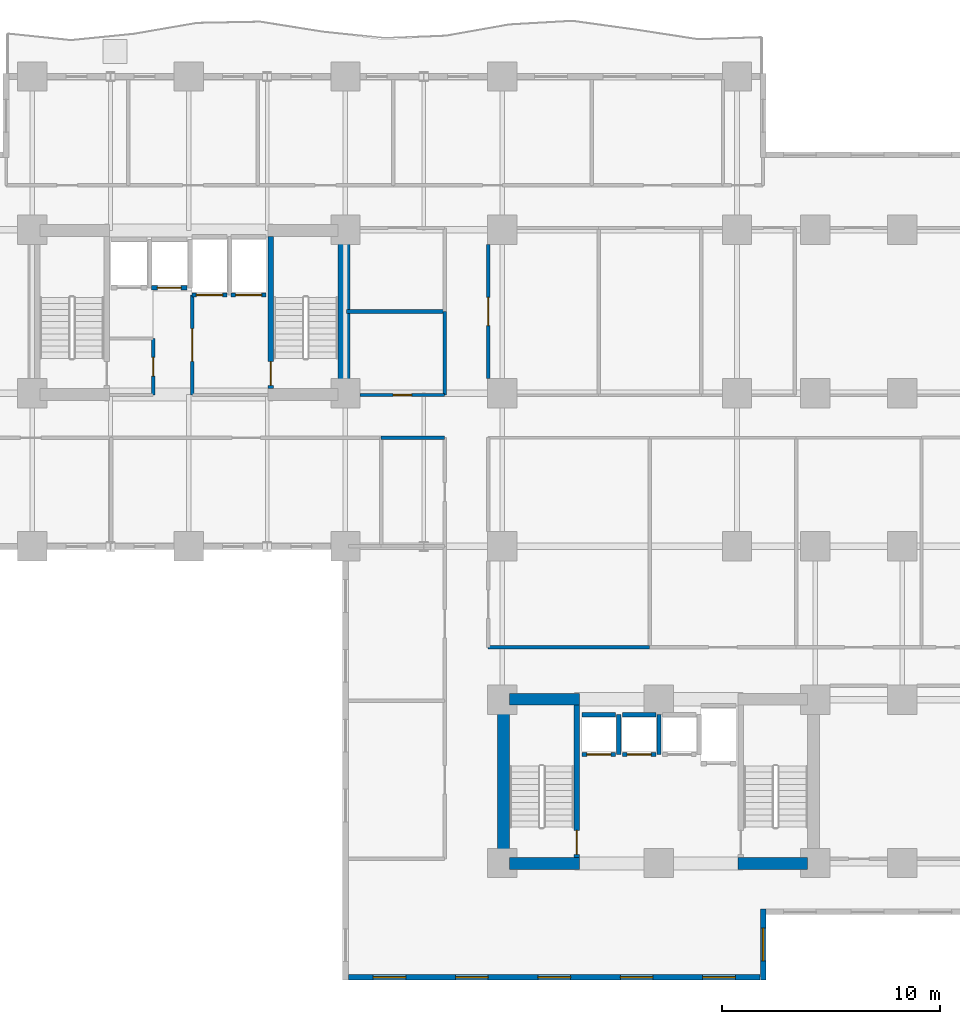
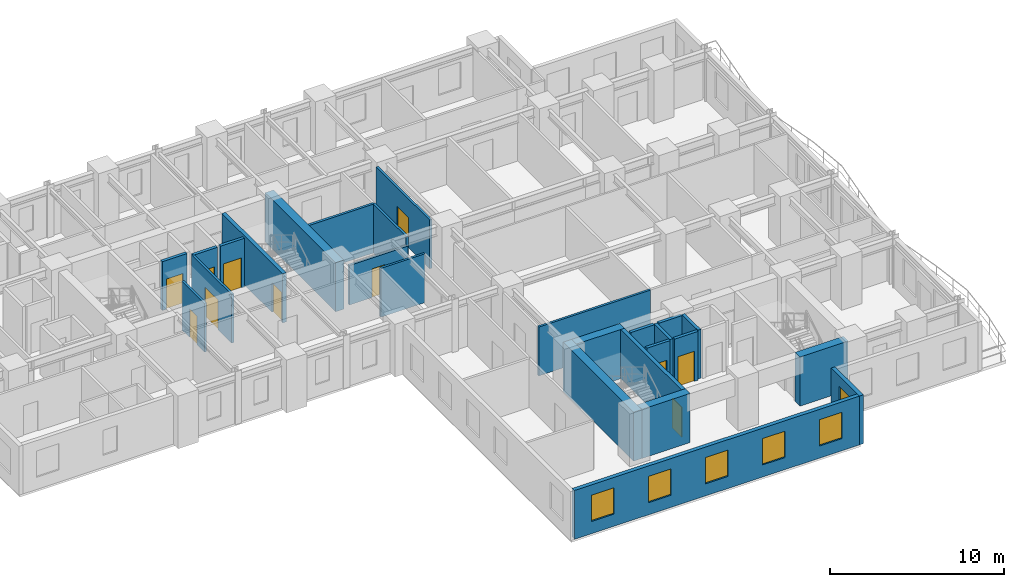
# One storey, part 4 of 11: 26 walls, 11 doors, 6 windows, 17 openings.
"""IFC4 building model written with IfcOpenShell, lengths in metres."""

import ifcopenshell
import ifcopenshell.guid

model = None  # the IFC model being written
_history = None  # IfcOwnerHistory: only IFC2X3 demands one
_inside = {}  # id of a spatial element -> (the spatial element, [elements in it])
_under = {}  # id of a project, library or spatial element -> (it, [spatial elements below it])
_declared = {}  # id of a project -> (the project, [libraries it declares])
_typed = {}  # id of a type object -> (the type object, [elements of that type])
_made_of = {}  # id of a material, layer set ... -> (it, [elements and type objects made of it])


def new_model(schema):
    """Start an empty IFC model of exactly this schema.

    Asked for "IFC4X3", IfcOpenShell would pick the latest addendum, in which some entities
    have other attributes; the version numbers below select the first issue.
    IFC2X3 requires an IfcOwnerHistory on every rooted entity: one is made here for all.
    """
    global model, _history
    if schema == "IFC4X3":
        model = ifcopenshell.file(schema_version=(4, 3, 0, 0))
    else:
        model = ifcopenshell.file(schema=schema)
    _inside.clear()
    _under.clear()
    _declared.clear()
    _typed.clear()
    _made_of.clear()
    _history = None
    if model.schema == "IFC2X3":
        org = make("IfcOrganization", Name="unknown")
        user = make(
            "IfcPersonAndOrganization",
            ThePerson=make("IfcPerson", FamilyName="unknown"),
            TheOrganization=org,
        )
        app = make(
            "IfcApplication",
            ApplicationDeveloper=org,
            Version="unknown",
            ApplicationFullName="unknown",
            ApplicationIdentifier="unknown",
        )
        _history = make(
            "IfcOwnerHistory",
            OwningUser=user,
            OwningApplication=app,
            ChangeAction="ADDED",
            CreationDate=0,
        )
    return model


def make(cls, **values):
    """One entity of the class cls with the attributes given. An attribute that is None is left unset."""
    return model.create_entity(
        cls, **{name: value for name, value in values.items() if value is not None}
    )


def rooted(cls, **values):
    """An entity with a GlobalId (a new one), such as an element, a storey or a relation."""
    return make(cls, GlobalId=ifcopenshell.guid.new(), OwnerHistory=_history, **values)


def si_unit(unit_type, name, prefix=None):
    """IfcSIUnit, for example si_unit("LENGTHUNIT", "METRE", prefix="MILLI")."""
    return make("IfcSIUnit", UnitType=unit_type, Prefix=prefix, Name=name)


def assignment(units):
    """IfcUnitAssignment: the units of a project."""
    return None if units is None else make("IfcUnitAssignment", Units=units)


def point(xyz):
    """IfcCartesianPoint."""
    return None if xyz is None else make("IfcCartesianPoint", Coordinates=xyz)


def direction(xyz):
    """IfcDirection."""
    return None if xyz is None else make("IfcDirection", DirectionRatios=xyz)


def frame(location, z_axis=None, x_axis=None):
    """IfcAxis2Placement3D, a coordinate frame: its origin and axes. An axis left out is left unset."""
    return make(
        "IfcAxis2Placement3D",
        Location=point(location),
        Axis=direction(z_axis),
        RefDirection=direction(x_axis),
    )


def frame_2d(location, x_axis=None):
    """IfcAxis2Placement2D, a coordinate frame in the plane: its origin and x axis."""
    return make(
        "IfcAxis2Placement2D", Location=point(location), RefDirection=direction(x_axis)
    )


def origin():
    """The frame at (0, 0, 0) with its axes left unset."""
    return frame((0.0, 0.0, 0.0))


def place(relative_to, where):
    """IfcLocalPlacement: puts the frame where relative to a parent placement (None: the world)."""
    return make(
        "IfcLocalPlacement", PlacementRelTo=relative_to, RelativePlacement=where
    )


def context(
    kind, dimensions, precision=None, world=None, true_north=None, identifier=None
):
    """IfcGeometricRepresentationContext, for example the 3D "Model" context."""
    return make(
        "IfcGeometricRepresentationContext",
        ContextIdentifier=identifier,
        ContextType=kind,
        CoordinateSpaceDimension=dimensions,
        Precision=precision,
        WorldCoordinateSystem=world,
        TrueNorth=true_north,
    )


def subcontext(parent, identifier, kind, view, scale=None):
    """IfcGeometricRepresentationSubContext, for example "Body" below "Model"."""
    return make(
        "IfcGeometricRepresentationSubContext",
        ContextIdentifier=identifier,
        ContextType=kind,
        ParentContext=parent,
        TargetScale=scale,
        TargetView=view,
    )


def project(units=None, contexts=None):
    """IfcProject with its units and contexts."""
    return rooted(
        "IfcProject",
        Name="project",
        RepresentationContexts=contexts,
        UnitsInContext=assignment(units),
    )


def spatial(cls, under=None, at=None, **own):
    """A site, building, storey or space (cls), placed at a placement, below another one or the project."""
    s = rooted(cls, ObjectPlacement=at, **own)
    if under is not None:
        _under.setdefault(under.id(), (under, []))[1].append(s)
    return s


def profile(cls, at=None, kind="AREA", **sizes):
    """A parametric profile (cls). Its sizes go by their IFC names, for example OverallWidth=200.0."""
    return make(cls, ProfileType=kind, Position=at, **sizes)


def rectangle(**sizes):
    """IfcRectangleProfileDef."""
    return profile("IfcRectangleProfileDef", **sizes)


def extrude(swept, where, along, depth):
    """IfcExtrudedAreaSolid: the profile swept, set in the frame where, extruded along a direction by depth."""
    return make(
        "IfcExtrudedAreaSolid",
        SweptArea=swept,
        Position=where,
        ExtrudedDirection=direction(along),
        Depth=depth,
    )


def shape(context_of_items, identifier, shape_type, items):
    """IfcShapeRepresentation: the items that make up one representation, for example the "Body"."""
    return make(
        "IfcShapeRepresentation",
        ContextOfItems=context_of_items,
        RepresentationIdentifier=identifier,
        RepresentationType=shape_type,
        Items=items,
    )


def material(Name=None, Category=None):
    """IfcMaterial."""
    return make("IfcMaterial", Name=Name, Category=Category)


def layer(
    of_material, thickness, ventilated=None, Name=None, Category=None, Priority=None
):
    """IfcMaterialLayer: one layer of a wall or slab, of a material (None: an air gap)."""
    return make(
        "IfcMaterialLayer",
        Material=of_material,
        LayerThickness=thickness,
        IsVentilated=ventilated,
        Name=Name,
        Category=Category,
        Priority=Priority,
    )


def layer_set(layers, Name=None):
    """IfcMaterialLayerSet."""
    return make("IfcMaterialLayerSet", MaterialLayers=layers, LayerSetName=Name)


def made_of(thing, what):
    """Note that an element or type object is made of a material, layer set ...; save() writes the relation."""
    if what is not None:
        _made_of.setdefault(what.id(), (what, []))[1].append(thing)
    return thing


def type_object(cls, material=None, **own):
    """A type object (cls), such as IfcWallType, which elements share."""
    return made_of(rooted(cls, **own), material)


def element(
    cls,
    number,
    at=None,
    inside=None,
    cuts=None,
    type_object=None,
    material=None,
    context=None,
    identifier="Body",
    shape_type=None,
    held_by="IfcProductDefinitionShape",
    body=None,
    shapes=None,
    **own,
):
    """One element of the class cls, such as IfcWall. Its Tag is "e" and its number.

    at: its placement. inside: the storey or other place that contains it. cuts: it is an
    opening in that element (IfcRelVoidsElement). A single representation is given by context,
    identifier, shape_type and body (its items); several are given by shapes. held_by: the class
    of the entity that holds the representations. save() writes the other relations.
    """
    e = rooted(cls, Tag="e%d" % number, ObjectPlacement=at, **own)
    if body is not None:
        shapes = [shape(context, identifier, shape_type, body)]
    if shapes is not None:
        e.Representation = make(held_by, Representations=shapes)
    if inside is not None:
        _inside.setdefault(inside.id(), (inside, []))[1].append(e)
    if cuts is not None:
        rooted(
            "IfcRelVoidsElement", RelatingBuildingElement=cuts, RelatedOpeningElement=e
        )
    if type_object is not None:
        _typed.setdefault(type_object.id(), (type_object, []))[1].append(e)
    return made_of(e, material)


def fill(opening, filler):
    """IfcRelFillsElement: the door or window that sits in an opening."""
    return rooted(
        "IfcRelFillsElement",
        RelatingOpeningElement=opening,
        RelatedBuildingElement=filler,
    )


def aggregate(whole, parts):
    """IfcRelAggregates: a whole, such as a stair, and the parts it consists of."""
    return rooted("IfcRelAggregates", RelatingObject=whole, RelatedObjects=parts)


def save(model, path):
    """Write the relations noted so far, then the file.

    IfcRelAggregates (storeys below a building ...), IfcRelContainedInSpatialStructure (elements
    in a storey), IfcRelDefinesByType, IfcRelAssociatesMaterial and IfcRelDeclares: one each for
    every whole, place, type object, material and project.
    """
    for whole, parts in _under.values():
        aggregate(whole, parts)
    for where, things in _inside.values():
        rooted(
            "IfcRelContainedInSpatialStructure",
            RelatedElements=things,
            RelatingStructure=where,
        )
    for kind, things in _typed.values():
        rooted("IfcRelDefinesByType", RelatedObjects=things, RelatingType=kind)
    for what, things in _made_of.values():
        rooted("IfcRelAssociatesMaterial", RelatedObjects=things, RelatingMaterial=what)
    for by, libraries in _declared.values():
        rooted("IfcRelDeclares", RelatingContext=by, RelatedDefinitions=libraries)
    model.write(path)


model = new_model("IFC4")

# Units and contexts
model_context = context("Model", 3, precision=1e-05, world=origin(), true_north=direction((0.0, 1.0)))
body_context = subcontext(model_context, "Body", "Model", "MODEL_VIEW")
ifc_project = project(units=[si_unit("LENGTHUNIT", "METRE"), si_unit("AREAUNIT", "SQUARE_METRE"), si_unit("VOLUMEUNIT", "CUBIC_METRE"), si_unit("PLANEANGLEUNIT", "RADIAN"), si_unit("MASSUNIT", "GRAM", prefix="KILO")], contexts=[model_context])

# Site, building, storey
site_placement = place(None, origin())
site = spatial("IfcSite", under=ifc_project, at=site_placement, CompositionType="ELEMENT")
building_placement = place(site_placement, origin())
building = spatial("IfcBuilding", under=site, at=building_placement, Name="Kaliganga Portal Commons", CompositionType="ELEMENT")
storey_placement = place(building_placement, frame((0.0, 0.0, 54.89990234375)))
storey = spatial("IfcBuildingStorey", under=building, at=storey_placement, Name="L13", CompositionType="ELEMENT", Elevation=54.89990234375)

# Walls
ifc_material_1 = material(Name="Concrete C60/75", Category="concrete")
ifc_layer_1 = layer(ifc_material_1, 0.550048828125)
ifc_layer_set_1 = layer_set([ifc_layer_1], Name="Concrete C60/75")
wall_type_1 = type_object("IfcWallType", Name="WL-CORE-550", PredefinedType="SHEAR", material=ifc_layer_set_1)
wall_1_placement = place(storey_placement, frame((28.72509765625, 28.300048828125, 0.0), z_axis=(0.0, 0.0, 1.0), x_axis=(0.0, 1.0, 0.0)))
element("IfcWall", 1, at=wall_1_placement, inside=storey, type_object=wall_type_1, Name="Core A East Shear Wall L13", PredefinedType="SHEAR", context=body_context, shape_type="SweptSolid", body=[
    extrude(rectangle(XDim=8.099853515625, YDim=0.550048828125, at=frame_2d((4.0498046875, 0.0))), origin(), (0.0, 0.0, 1.0), 3.4501953125),
])
wall_2_placement = place(storey_placement, frame((36.074951171875, 6.75, 0.0), z_axis=(0.0, 0.0, 1.0), x_axis=(0.0, 1.0, 0.0)))
element("IfcWall", 2, at=wall_2_placement, inside=storey, type_object=wall_type_1, Name="Core B West Shear Wall L13", PredefinedType="SHEAR", context=body_context, shape_type="SweptSolid", body=[
    extrude(rectangle(XDim=8.10009765625, YDim=0.550048828125, at=frame_2d((4.050048828125, 0.0))), origin(), (0.0, 0.0, 1.0), 3.4501953125),
])
for number, where, z_axis, x_axis, name in (
    (3, (36.35009765625, 7.02490234375, 0.0), (0.0, 0.0, 1.0), (1.0, 0.0, 0.0), "Core B S-West Shear Wall L13"),
    (4, (46.85009765625, 7.02490234375, 0.0), (0.0, 0.0, 1.0), (1.0, 0.0, 0.0), "Core B S-East Shear Wall L13"),
    (5, (36.35009765625, 14.574951171875, 0.0), (0.0, 0.0, 1.0), (1.0, 0.0, 0.0), "Core B N-West Shear Wall L13"),
):
    element("IfcWall", number, at=place(storey_placement, frame(where, z_axis=z_axis, x_axis=x_axis)), inside=storey, type_object=wall_type_1, Name=name, PredefinedType="SHEAR", context=body_context, shape_type="SweptSolid", body=[
        extrude(rectangle(XDim=3.199951171875, YDim=0.550048828125, at=frame_2d((1.60009765625, 0.0))), origin(), (0.0, 0.0, 1.0), 3.4501953125),
    ])

# Wall, openings, windows
ifc_material_2 = material(Name="Insulated Aluminium-Clad Spandrel Assembly", Category="aluminium")
ifc_layer_2 = layer(ifc_material_2, 0.260009765625)
ifc_layer_set_2 = layer_set([ifc_layer_2], Name="Insulated Aluminium-Clad Spandrel Assembly")
wall_type_2 = type_object("IfcWallType", Name="WL-EXT-SPAND-260", PredefinedType="STANDARD", material=ifc_layer_set_2)
wall_3_placement = place(storey_placement, frame((47.864990234375, 1.800048828125, 0.0), z_axis=(0.0, 0.0, 1.0), x_axis=(-1.0, 0.0, 0.0)))
wall_3 = element("IfcWall", 6, at=wall_3_placement, inside=storey, type_object=wall_type_2, Name="Exterior Envelope Wall L13 P1-E00-S1", PredefinedType="STANDARD", context=body_context, shape_type="SweptSolid", body=[
    extrude(rectangle(XDim=18.929931640625, YDim=0.260009765625, at=frame_2d((9.46484375, 0.0))), origin(), (0.0, 0.0, 1.0), 3.43017578125),
])
opening_1_placement = place(wall_3_placement, frame((1.14306640625, 0.0, 0.85009765625)))
opening_1 = element("IfcOpeningElement", 7, at=opening_1_placement, cuts=wall_3, Name="Opening W-02", PredefinedType="OPENING", context=body_context, shape_type="SweptSolid", body=[
    extrude(rectangle(XDim=1.5, YDim=1.85009765625, at=frame_2d((0.75, 0.925048828125))), frame((0.0, 0.14013671875, 0.0), z_axis=(0.0, -1.0, 0.0), x_axis=(1.0, 0.0, 0.0)), (0.0, 0.0, 1.0), 0.280029296875),
])
opening_2_placement = place(wall_3_placement, frame((4.928955078125, 0.0, 0.85009765625)))
opening_2 = element("IfcOpeningElement", 8, at=opening_2_placement, cuts=wall_3, Name="Opening W-02", PredefinedType="OPENING", context=body_context, shape_type="SweptSolid", body=[
    extrude(rectangle(XDim=1.5, YDim=1.85009765625, at=frame_2d((0.75, 0.925048828125))), frame((0.0, 0.14013671875, 0.0), z_axis=(0.0, -1.0, 0.0), x_axis=(1.0, 0.0, 0.0)), (0.0, 0.0, 1.0), 0.280029296875),
])
opening_3_placement = place(wall_3_placement, frame((8.715087890625, 0.0, 0.85009765625)))
opening_3 = element("IfcOpeningElement", 9, at=opening_3_placement, cuts=wall_3, Name="Opening W-02", PredefinedType="OPENING", context=body_context, shape_type="SweptSolid", body=[
    extrude(rectangle(XDim=1.5, YDim=1.85009765625, at=frame_2d((0.75, 0.925048828125))), frame((0.0, 0.14013671875, 0.0), z_axis=(0.0, -1.0, 0.0), x_axis=(1.0, 0.0, 0.0)), (0.0, 0.0, 1.0), 0.280029296875),
])
opening_4_placement = place(wall_3_placement, frame((12.5009765625, 0.0, 0.85009765625)))
opening_4 = element("IfcOpeningElement", 10, at=opening_4_placement, cuts=wall_3, Name="Opening W-02", PredefinedType="OPENING", context=body_context, shape_type="SweptSolid", body=[
    extrude(rectangle(XDim=1.5, YDim=1.85009765625, at=frame_2d((0.75, 0.925048828125))), frame((0.0, 0.14013671875, 0.0), z_axis=(0.0, -1.0, 0.0), x_axis=(1.0, 0.0, 0.0)), (0.0, 0.0, 1.0), 0.280029296875),
])
opening_5_placement = place(wall_3_placement, frame((16.287109375, 0.0, 0.85009765625)))
opening_5 = element("IfcOpeningElement", 11, at=opening_5_placement, cuts=wall_3, Name="Opening W-02", PredefinedType="OPENING", context=body_context, shape_type="SweptSolid", body=[
    extrude(rectangle(XDim=1.5, YDim=1.85009765625, at=frame_2d((0.75, 0.925048828125))), frame((0.0, 0.14013671875, 0.0), z_axis=(0.0, -1.0, 0.0), x_axis=(1.0, 0.0, 0.0)), (0.0, 0.0, 1.0), 0.280029296875),
])
ifc_material_3 = material(Name="Thermally Broken Aluminium and Low-E Double Glazing", Category="aluminium")
window_type = type_object("IfcWindowType", Name="WIN-STD-1500", PartitioningType="DOUBLE_PANEL_VERTICAL", PredefinedType="WINDOW", material=ifc_material_3)
window_1_placement = place(opening_1_placement, origin())
window_1 = element("IfcWindow", 12, at=window_1_placement, inside=storey, type_object=window_type, Name="Facade Window L13-P1E00S1-00", OverallHeight=1.85009765625, OverallWidth=1.5, PartitioningType="SINGLE_PANEL", PredefinedType="WINDOW", context=body_context, shape_type="SweptSolid", body=[
    extrude(rectangle(XDim=1.5, YDim=1.85009765625, at=frame_2d((0.75, 0.925048828125))), frame((0.0, 0.030029296875, 0.0), z_axis=(0.0, -1.0, 0.0), x_axis=(1.0, 0.0, 0.0)), (0.0, 0.0, 1.0), 0.06005859375),
])
fill(opening_1, window_1)
window_2_placement = place(opening_2_placement, origin())
window_2 = element("IfcWindow", 13, at=window_2_placement, inside=storey, type_object=window_type, Name="Facade Window L13-P1E00S1-01", OverallHeight=1.85009765625, OverallWidth=1.5, PartitioningType="SINGLE_PANEL", PredefinedType="WINDOW", context=body_context, shape_type="SweptSolid", body=[
    extrude(rectangle(XDim=1.5, YDim=1.85009765625, at=frame_2d((0.75, 0.925048828125))), frame((0.0, 0.030029296875, 0.0), z_axis=(0.0, -1.0, 0.0), x_axis=(1.0, 0.0, 0.0)), (0.0, 0.0, 1.0), 0.06005859375),
])
fill(opening_2, window_2)
window_3_placement = place(opening_3_placement, origin())
window_3 = element("IfcWindow", 14, at=window_3_placement, inside=storey, type_object=window_type, Name="Facade Window L13-P1E00S1-02", OverallHeight=1.85009765625, OverallWidth=1.5, PartitioningType="SINGLE_PANEL", PredefinedType="WINDOW", context=body_context, shape_type="SweptSolid", body=[
    extrude(rectangle(XDim=1.5, YDim=1.85009765625, at=frame_2d((0.75, 0.925048828125))), frame((0.0, 0.030029296875, 0.0), z_axis=(0.0, -1.0, 0.0), x_axis=(1.0, 0.0, 0.0)), (0.0, 0.0, 1.0), 0.06005859375),
])
fill(opening_3, window_3)
window_4_placement = place(opening_4_placement, origin())
window_4 = element("IfcWindow", 15, at=window_4_placement, inside=storey, type_object=window_type, Name="Facade Window L13-P1E00S1-03", OverallHeight=1.85009765625, OverallWidth=1.5, PartitioningType="SINGLE_PANEL", PredefinedType="WINDOW", context=body_context, shape_type="SweptSolid", body=[
    extrude(rectangle(XDim=1.5, YDim=1.85009765625, at=frame_2d((0.75, 0.925048828125))), frame((0.0, 0.030029296875, 0.0), z_axis=(0.0, -1.0, 0.0), x_axis=(1.0, 0.0, 0.0)), (0.0, 0.0, 1.0), 0.06005859375),
])
fill(opening_4, window_4)
window_5_placement = place(opening_5_placement, origin())
window_5 = element("IfcWindow", 16, at=window_5_placement, inside=storey, type_object=window_type, Name="Facade Window L13-P1E00S1-04", OverallHeight=1.85009765625, OverallWidth=1.5, PartitioningType="SINGLE_PANEL", PredefinedType="WINDOW", context=body_context, shape_type="SweptSolid", body=[
    extrude(rectangle(XDim=1.5, YDim=1.85009765625, at=frame_2d((0.75, 0.925048828125))), frame((0.0, 0.030029296875, 0.0), z_axis=(0.0, -1.0, 0.0), x_axis=(1.0, 0.0, 0.0)), (0.0, 0.0, 1.0), 0.06005859375),
])
fill(opening_5, window_5)

# Wall, opening, window
wall_4_placement = place(storey_placement, frame((48.0, 4.929931640625, 0.0), z_axis=(0.0, 0.0, 1.0), x_axis=(0.0, -1.0, 0.0)))
wall_4 = element("IfcWall", 17, at=wall_4_placement, inside=storey, type_object=wall_type_2, Name="Exterior Envelope Wall L13 P1-E01-S1", PredefinedType="STANDARD", context=body_context, shape_type="SweptSolid", body=[
    extrude(rectangle(XDim=3.260009765625, YDim=0.260009765625, at=frame_2d((1.6298828125, 0.0))), origin(), (0.0, 0.0, 1.0), 3.43017578125),
])
opening_6_placement = place(wall_4_placement, frame((0.8798828125, 0.0, 0.85009765625)))
opening_6 = element("IfcOpeningElement", 18, at=opening_6_placement, cuts=wall_4, Name="Opening W-02", PredefinedType="OPENING", context=body_context, shape_type="SweptSolid", body=[
    extrude(rectangle(XDim=1.5, YDim=1.85009765625, at=frame_2d((0.75, 0.925048828125))), frame((0.0, 0.14013671875, 0.0), z_axis=(0.0, -1.0, 0.0), x_axis=(1.0, 0.0, 0.0)), (0.0, 0.0, 1.0), 0.280029296875),
])
window_6_placement = place(opening_6_placement, origin())
window_6 = element("IfcWindow", 19, at=window_6_placement, inside=storey, type_object=window_type, Name="Facade Window L13-P1E01S1-00", OverallHeight=1.85009765625, OverallWidth=1.5, PartitioningType="SINGLE_PANEL", PredefinedType="WINDOW", context=body_context, shape_type="SweptSolid", body=[
    extrude(rectangle(XDim=1.5, YDim=1.85009765625, at=frame_2d((0.75, 0.925048828125))), frame((0.0, 0.030029296875, 0.0), z_axis=(0.0, -1.0, 0.0), x_axis=(1.0, 0.0, 0.0)), (0.0, 0.0, 1.0), 0.06005859375),
])
fill(opening_6, window_6)

# Wall, opening, door
ifc_material_4 = material(Name="Fire-Rated Gypsum Board on Steel Stud", Category="steel")
ifc_layer_3 = layer(ifc_material_4, 0.14990234375)
ifc_layer_set_3 = layer_set([ifc_layer_3], Name="Fire-Rated Gypsum Board on Steel Stud")
wall_type_3 = type_object("IfcWallType", Name="WL-PART-CORR-150", PredefinedType="PARTITIONING", material=ifc_layer_set_3)
wall_5_placement = place(storey_placement, frame((35.360107421875, 29.324951171875, 0.0), z_axis=(0.0, 0.0, 1.0), x_axis=(0.0, 1.0, 0.0)))
wall_5 = element("IfcWall", 20, at=wall_5_placement, inside=storey, type_object=wall_type_3, Name="Interior Partition L13-012", PredefinedType="PARTITIONING", context=body_context, shape_type="SweptSolid", body=[
    extrude(rectangle(XDim=6.150146484375, YDim=0.14990234375, at=frame_2d((3.0751953125, 0.0))), origin(), (0.0, 0.0, 1.0), 3.43017578125),
])
opening_7_placement = place(wall_5_placement, frame((2.425048828125, 0.0, 0.0)))
opening_7 = element("IfcOpeningElement", 21, at=opening_7_placement, cuts=wall_5, Name="Opening RD-03", PredefinedType="OPENING", context=body_context, shape_type="SweptSolid", body=[
    extrude(rectangle(XDim=1.300048828125, YDim=2.1201171875, at=frame_2d((0.64990234375, 1.06005859375))), frame((0.0, 0.0849609375, 0.0), z_axis=(0.0, -1.0, 0.0), x_axis=(1.0, 0.0, 0.0)), (0.0, 0.0, 1.0), 0.169921875),
])
ifc_material_5 = material(Name="Glazed Timber Seminar Vision Door", Category="wood")
door_type_1 = type_object("IfcDoorType", Name="DR-STUDY-1300", OperationType="DOUBLE_DOOR_SINGLE_SWING", PredefinedType="DOOR", material=ifc_material_5)
door_1_placement = place(opening_7_placement, origin())
door_1 = element("IfcDoor", 22, at=door_1_placement, inside=storey, type_object=door_type_1, Name="Interior Door L13-BK01", OperationType="DOUBLE_DOOR_SINGLE_SWING", OverallHeight=2.1201171875, OverallWidth=1.300048828125, PredefinedType="DOOR", context=body_context, shape_type="SweptSolid", body=[
    extrude(rectangle(XDim=1.300048828125, YDim=2.1201171875, at=frame_2d((0.64990234375, 1.06005859375))), frame((0.0, 0.02490234375, 0.0), z_axis=(0.0, -1.0, 0.0), x_axis=(1.0, 0.0, 0.0)), (0.0, 0.0, 1.0), 0.050048828125),
])
fill(opening_7, door_1)

# Wall
wall_6_placement = place(storey_placement, frame((35.360107421875, 16.9599609375, 0.0), z_axis=(0.0, 0.0, 1.0), x_axis=(1.0, 0.0, 0.0)))
element("IfcWall", 23, at=wall_6_placement, inside=storey, type_object=wall_type_3, Name="Interior Partition L13-013", PredefinedType="PARTITIONING", context=body_context, shape_type="SweptSolid", body=[
    extrude(rectangle(XDim=7.419921875, YDim=0.14990234375, at=frame_2d((3.7099609375, 0.0))), origin(), (0.0, 0.0, 1.0), 3.43017578125),
])

# Wall, opening, door
wall_7_placement = place(storey_placement, frame((29.47509765625, 28.56005859375, 0.0), z_axis=(0.0, 0.0, 1.0), x_axis=(1.0, 0.0, 0.0)))
wall_7 = element("IfcWall", 24, at=wall_7_placement, inside=storey, type_object=wall_type_3, Name="Interior Partition L13-034", PredefinedType="PARTITIONING", context=body_context, shape_type="SweptSolid", body=[
    extrude(rectangle(XDim=3.885009765625, YDim=0.14990234375, at=frame_2d((1.9423828125, 0.0))), origin(), (0.0, 0.0, 1.0), 2.780029296875),
])
opening_8_placement = place(wall_7_placement, frame((1.512451171875, 0.0, 0.0)))
opening_8 = element("IfcOpeningElement", 25, at=opening_8_placement, cuts=wall_7, Name="Opening WD-02", PredefinedType="OPENING", context=body_context, shape_type="SweptSolid", body=[
    extrude(rectangle(XDim=0.860107421875, YDim=2.02001953125, at=frame_2d((0.43017578125, 1.010009765625))), frame((0.0, 0.0849609375, 0.0), z_axis=(0.0, -1.0, 0.0), x_axis=(1.0, 0.0, 0.0)), (0.0, 0.0, 1.0), 0.169921875),
])
ifc_material_6 = material(Name="Fire-Rated Utility Closet Door", Category="wood")
door_type_2 = type_object("IfcDoorType", Name="DR-STORE-800", OperationType="NOTDEFINED", PredefinedType="DOOR", material=ifc_material_6)
door_2_placement = place(opening_8_placement, origin())
door_2 = element("IfcDoor", 26, at=door_2_placement, inside=storey, type_object=door_type_2, Name="Interior Door L13-CSRV_A1", OperationType="SINGLE_SWING_LEFT", OverallHeight=2.02001953125, OverallWidth=0.860107421875, PredefinedType="DOOR", context=body_context, shape_type="SweptSolid", body=[
    extrude(rectangle(XDim=0.860107421875, YDim=2.02001953125, at=frame_2d((0.43017578125, 1.010009765625))), frame((0.0, 0.02490234375, 0.0), z_axis=(0.0, -1.0, 0.0), x_axis=(1.0, 0.0, 0.0)), (0.0, 0.0, 1.0), 0.050048828125),
])
fill(opening_8, door_2)

# Walls
wall_8_placement = place(storey_placement, frame((33.360107421875, 28.56005859375, 0.0), z_axis=(0.0, 0.0, 1.0), x_axis=(0.0, 1.0, 0.0)))
element("IfcWall", 27, at=wall_8_placement, inside=storey, type_object=wall_type_3, Name="Interior Partition L13-041", PredefinedType="PARTITIONING", context=body_context, shape_type="SweptSolid", body=[
    extrude(rectangle(XDim=3.83984375, YDim=0.14990234375, at=frame_2d((1.919921875, 0.0))), origin(), (0.0, 0.0, 1.0), 3.43017578125),
])
wall_9_placement = place(storey_placement, frame((30.43994140625, 26.60009765625, 0.0), z_axis=(0.0, 0.0, 1.0), x_axis=(1.0, 0.0, 0.0)))
element("IfcWall", 28, at=wall_9_placement, inside=storey, type_object=wall_type_3, Name="Interior Partition L13-042", PredefinedType="PARTITIONING", context=body_context, shape_type="SweptSolid", body=[
    extrude(rectangle(XDim=2.920166015625, YDim=0.14990234375, at=frame_2d((1.4599609375, 0.0))), origin(), (0.0, 0.0, 1.0), 3.43017578125),
])

# Wall, opening, door
wall_10_placement = place(storey_placement, frame((19.9599609375, 28.56005859375, 0.0), z_axis=(0.0, 0.0, 1.0), x_axis=(0.0, 1.0, 0.0)))
wall_10 = element("IfcWall", 29, at=wall_10_placement, inside=storey, type_object=wall_type_3, Name="Interior Partition L13-043", PredefinedType="PARTITIONING", context=body_context, shape_type="SweptSolid", body=[
    extrude(rectangle(XDim=2.599853515625, YDim=0.14990234375, at=frame_2d((1.2998046875, 0.0))), origin(), (0.0, 0.0, 1.0), 3.43017578125),
])
opening_9_placement = place(wall_10_placement, frame((0.8701171875, 0.0, 0.0)))
opening_9 = element("IfcOpeningElement", 30, at=opening_9_placement, cuts=wall_10, Name="Opening WD-02", PredefinedType="OPENING", context=body_context, shape_type="SweptSolid", body=[
    extrude(rectangle(XDim=0.860107421875, YDim=2.02001953125, at=frame_2d((0.43017578125, 1.010009765625))), frame((0.0, 0.0849609375, 0.0), z_axis=(0.0, -1.0, 0.0), x_axis=(1.0, 0.0, 0.0)), (0.0, 0.0, 1.0), 0.169921875),
])
door_3_placement = place(opening_9_placement, origin())
door_3 = element("IfcDoor", 31, at=door_3_placement, inside=storey, type_object=door_type_2, Name="Interior Door L13-CIN_A1", OperationType="SINGLE_SWING_RIGHT", OverallHeight=2.02001953125, OverallWidth=0.860107421875, PredefinedType="DOOR", context=body_context, shape_type="SweptSolid", body=[
    extrude(rectangle(XDim=0.860107421875, YDim=2.02001953125, at=frame_2d((0.43017578125, 1.010009765625))), frame((0.0, 0.02490234375, 0.0), z_axis=(0.0, -1.0, 0.0), x_axis=(1.0, 0.0, 0.0)), (0.0, 0.0, 1.0), 0.050048828125),
])
fill(opening_9, door_3)

wall_11_placement = place(storey_placement, frame((21.760009765625, 28.56005859375, 0.0), z_axis=(0.0, 0.0, 1.0), x_axis=(0.0, 1.0, 0.0)))
wall_11 = element("IfcWall", 32, at=wall_11_placement, inside=storey, type_object=wall_type_3, Name="Interior Partition L13-073", PredefinedType="PARTITIONING", context=body_context, shape_type="SweptSolid", body=[
    extrude(rectangle(XDim=4.599853515625, YDim=0.14990234375, at=frame_2d((2.2998046875, 0.0))), origin(), (0.0, 0.0, 1.0), 3.43017578125),
])
opening_10_placement = place(wall_11_placement, frame((1.550048828125, 0.0, 0.0)))
opening_10 = element("IfcOpeningElement", 33, at=opening_10_placement, cuts=wall_11, Name="Opening FD-01", PredefinedType="OPENING", context=body_context, shape_type="SweptSolid", body=[
    extrude(rectangle(XDim=1.5, YDim=2.10009765625, at=frame_2d((0.75, 1.050048828125))), frame((0.0, 0.0849609375, 0.0), z_axis=(0.0, -1.0, 0.0), x_axis=(1.0, 0.0, 0.0)), (0.0, 0.0, 1.0), 0.169921875),
])
ifc_material_7 = material(Name="Fire-Rated Hardwood and Georgian-Wired Vision Panel", Category="wood")
door_type_3 = type_object("IfcDoorType", Name="DR-LOBBY-1500", OperationType="DOUBLE_DOOR_SINGLE_SWING", PredefinedType="DOOR", material=ifc_material_7)
door_4_placement = place(opening_10_placement, origin())
door_4 = element("IfcDoor", 34, at=door_4_placement, inside=storey, type_object=door_type_3, Name="Interior Door L13-FFLOB_A", OperationType="DOUBLE_DOOR_SINGLE_SWING", OverallHeight=2.10009765625, OverallWidth=1.5, PredefinedType="DOOR", context=body_context, shape_type="SweptSolid", body=[
    extrude(rectangle(XDim=1.5, YDim=2.10009765625, at=frame_2d((0.75, 1.050048828125))), frame((0.0, 0.02490234375, 0.0), z_axis=(0.0, -1.0, 0.0), x_axis=(1.0, 0.0, 0.0)), (0.0, 0.0, 1.0), 0.050048828125),
])
fill(opening_10, door_4)

# Wall
ifc_material_8 = material(Name="Twin-Stud Acoustic Gypsum Partition", Category="gypsum")
ifc_layer_4 = layer(ifc_material_8, 0.1650390625)
ifc_layer_set_4 = layer_set([ifc_layer_4], Name="Twin-Stud Acoustic Gypsum Partition")
wall_type_4 = type_object("IfcWallType", Name="WL-PART-UNIT-165", PredefinedType="PARTITIONING", material=ifc_layer_set_4)
wall_12_placement = place(storey_placement, frame((28.840087890625, 32.39990234375, 0.0), z_axis=(0.0, 0.0, 1.0), x_axis=(1.0, 0.0, 0.0)))
element("IfcWall", 35, at=wall_12_placement, inside=storey, type_object=wall_type_4, Name="Interior Partition L13-075", PredefinedType="PARTITIONING", context=body_context, shape_type="SweptSolid", body=[
    extrude(rectangle(XDim=4.52001953125, YDim=0.1650390625, at=frame_2d((2.260009765625, 0.0))), origin(), (0.0, 0.0, 1.0), 3.43017578125),
])

# Wall, opening, door
ifc_material_9 = material(Name="Fire-Rated Shaftwall Masonry Assembly", Category="masonry")
ifc_layer_5 = layer(ifc_material_9, 0.199951171875)
ifc_layer_set_5 = layer_set([ifc_layer_5], Name="Fire-Rated Shaftwall Masonry Assembly")
wall_type_5 = type_object("IfcWallType", Name="WL-SHAFT-200", PredefinedType="PARTITIONING", material=ifc_layer_set_5)
wall_13_placement = place(storey_placement, frame((19.875, 33.485107421875, 0.0), z_axis=(0.0, 0.0, 1.0), x_axis=(1.0, 0.0, 0.0)))
wall_13 = element("IfcWall", 36, at=wall_13_placement, inside=storey, type_object=wall_type_5, Name="Lift PL-A2 Hoistway Shaft Wall L13-S", PredefinedType="PARTITIONING", context=body_context, shape_type="SweptSolid", body=[
    extrude(rectangle(XDim=1.64990234375, YDim=0.199951171875, at=frame_2d((0.824951171875, 0.0))), origin(), (0.0, 0.0, 1.0), 3.43017578125),
])
opening_11_placement = place(wall_13_placement, frame((0.27490234375, 0.0, 0.0)))
opening_11 = element("IfcOpeningElement", 37, at=opening_11_placement, cuts=wall_13, Name="Opening LD-01", PredefinedType="OPENING", context=body_context, shape_type="SweptSolid", body=[
    extrude(rectangle(XDim=1.10009765625, YDim=2.1201171875, at=frame_2d((0.550048828125, 1.06005859375))), frame((0.0, 0.10986328125, 0.0), z_axis=(0.0, -1.0, 0.0), x_axis=(1.0, 0.0, 0.0)), (0.0, 0.0, 1.0), 0.219970703125),
])
ifc_material_10 = material(Name="Brushed Stainless Steel 316 Lift Landing Door", Category="steel")
door_type_4 = type_object("IfcDoorType", Name="DR-LIFT-1100", OperationType="SLIDING_TO_LEFT", PredefinedType="DOOR", material=ifc_material_10)
door_5_placement = place(opening_11_placement, origin())
door_5 = element("IfcDoor", 38, at=door_5_placement, inside=storey, type_object=door_type_4, Name="Lift PL-A2 Sliding Landing Door L13", OperationType="SLIDING_TO_LEFT", OverallHeight=2.1201171875, OverallWidth=1.10009765625, PredefinedType="DOOR", context=body_context, shape_type="SweptSolid", body=[
    extrude(rectangle(XDim=1.10009765625, YDim=2.1201171875, at=frame_2d((0.550048828125, 1.06005859375))), frame((0.0, 0.02490234375, 0.0), z_axis=(0.0, -1.0, 0.0), x_axis=(1.0, 0.0, 0.0)), (0.0, 0.0, 1.0), 0.050048828125),
])
fill(opening_11, door_5)

wall_14_placement = place(storey_placement, frame((21.75, 33.159912109375, 0.0), z_axis=(0.0, 0.0, 1.0), x_axis=(1.0, 0.0, 0.0)))
wall_14 = element("IfcWall", 39, at=wall_14_placement, inside=storey, type_object=wall_type_5, Name="Lift FFL-1 Hoistway Shaft Wall L13-S", PredefinedType="PARTITIONING", context=body_context, shape_type="SweptSolid", body=[
    extrude(rectangle(XDim=1.60009765625, YDim=0.199951171875, at=frame_2d((0.800048828125, 0.0))), origin(), (0.0, 0.0, 1.0), 3.43017578125),
])
opening_12_placement = place(wall_14_placement, frame((0.199951171875, 0.0, 0.0)))
opening_12 = element("IfcOpeningElement", 40, at=opening_12_placement, cuts=wall_14, Name="Opening LD-02", PredefinedType="OPENING", context=body_context, shape_type="SweptSolid", body=[
    extrude(rectangle(XDim=1.199951171875, YDim=2.1201171875, at=frame_2d((0.60009765625, 1.06005859375))), frame((0.0, 0.10986328125, 0.0), z_axis=(0.0, -1.0, 0.0), x_axis=(1.0, 0.0, 0.0)), (0.0, 0.0, 1.0), 0.219970703125),
])
ifc_material_11 = material(Name="Brushed Stainless Steel 316 Stretcher Lift Landing Door", Category="steel")
door_type_5 = type_object("IfcDoorType", Name="DR-LIFT-1200", OperationType="SLIDING_TO_RIGHT", PredefinedType="DOOR", material=ifc_material_11)
door_6_placement = place(opening_12_placement, origin())
door_6 = element("IfcDoor", 41, at=door_6_placement, inside=storey, type_object=door_type_5, Name="Lift FFL-1 Sliding Landing Door L13", OperationType="SLIDING_TO_RIGHT", OverallHeight=2.1201171875, OverallWidth=1.199951171875, PredefinedType="DOOR", context=body_context, shape_type="SweptSolid", body=[
    extrude(rectangle(XDim=1.199951171875, YDim=2.1201171875, at=frame_2d((0.60009765625, 1.06005859375))), frame((0.0, 0.02490234375, 0.0), z_axis=(0.0, -1.0, 0.0), x_axis=(1.0, 0.0, 0.0)), (0.0, 0.0, 1.0), 0.050048828125),
])
fill(opening_12, door_6)

wall_15_placement = place(storey_placement, frame((23.550048828125, 33.159912109375, 0.0), z_axis=(0.0, 0.0, 1.0), x_axis=(1.0, 0.0, 0.0)))
wall_15 = element("IfcWall", 42, at=wall_15_placement, inside=storey, type_object=wall_type_5, Name="Lift FFL-2 Hoistway Shaft Wall L13-S", PredefinedType="PARTITIONING", context=body_context, shape_type="SweptSolid", body=[
    extrude(rectangle(XDim=1.599853515625, YDim=0.199951171875, at=frame_2d((0.7998046875, 0.0))), origin(), (0.0, 0.0, 1.0), 3.43017578125),
])
opening_13_placement = place(wall_15_placement, frame((0.199951171875, 0.0, 0.0)))
opening_13 = element("IfcOpeningElement", 43, at=opening_13_placement, cuts=wall_15, Name="Opening LD-02", PredefinedType="OPENING", context=body_context, shape_type="SweptSolid", body=[
    extrude(rectangle(XDim=1.199951171875, YDim=2.1201171875, at=frame_2d((0.60009765625, 1.06005859375))), frame((0.0, 0.10986328125, 0.0), z_axis=(0.0, -1.0, 0.0), x_axis=(1.0, 0.0, 0.0)), (0.0, 0.0, 1.0), 0.219970703125),
])
door_7_placement = place(opening_13_placement, origin())
door_7 = element("IfcDoor", 44, at=door_7_placement, inside=storey, type_object=door_type_5, Name="Lift FFL-2 Sliding Landing Door L13", OperationType="SLIDING_TO_RIGHT", OverallHeight=2.1201171875, OverallWidth=1.199951171875, PredefinedType="DOOR", context=body_context, shape_type="SweptSolid", body=[
    extrude(rectangle(XDim=1.199951171875, YDim=2.1201171875, at=frame_2d((0.60009765625, 1.06005859375))), frame((0.0, 0.02490234375, 0.0), z_axis=(0.0, -1.0, 0.0), x_axis=(1.0, 0.0, 0.0)), (0.0, 0.0, 1.0), 0.050048828125),
])
fill(opening_13, door_7)

wall_16_placement = place(storey_placement, frame((39.675048828125, 12.034912109375, 0.0), z_axis=(0.0, 0.0, 1.0), x_axis=(1.0, 0.0, 0.0)))
wall_16 = element("IfcWall", 45, at=wall_16_placement, inside=storey, type_object=wall_type_5, Name="Lift PL-B1 Hoistway Shaft Wall L13-S", PredefinedType="PARTITIONING", context=body_context, shape_type="SweptSolid", body=[
    extrude(rectangle(XDim=1.550048828125, YDim=0.199951171875, at=frame_2d((0.77490234375, 0.0))), origin(), (0.0, 0.0, 1.0), 3.43017578125),
])
opening_14_placement = place(wall_16_placement, frame((0.22509765625, 0.0, 0.0)))
opening_14 = element("IfcOpeningElement", 46, at=opening_14_placement, cuts=wall_16, Name="Opening LD-01", PredefinedType="OPENING", context=body_context, shape_type="SweptSolid", body=[
    extrude(rectangle(XDim=1.10009765625, YDim=2.1201171875, at=frame_2d((0.550048828125, 1.06005859375))), frame((0.0, 0.10986328125, 0.0), z_axis=(0.0, -1.0, 0.0), x_axis=(1.0, 0.0, 0.0)), (0.0, 0.0, 1.0), 0.219970703125),
])
door_8_placement = place(opening_14_placement, origin())
door_8 = element("IfcDoor", 47, at=door_8_placement, inside=storey, type_object=door_type_4, Name="Lift PL-B1 Sliding Landing Door L13", OperationType="SLIDING_TO_LEFT", OverallHeight=2.1201171875, OverallWidth=1.10009765625, PredefinedType="DOOR", context=body_context, shape_type="SweptSolid", body=[
    extrude(rectangle(XDim=1.10009765625, YDim=2.1201171875, at=frame_2d((0.550048828125, 1.06005859375))), frame((0.0, 0.02490234375, 0.0), z_axis=(0.0, -1.0, 0.0), x_axis=(1.0, 0.0, 0.0)), (0.0, 0.0, 1.0), 0.050048828125),
])
fill(opening_14, door_8)

# Walls
wall_17_placement = place(storey_placement, frame((39.675048828125, 13.864990234375, 0.0), z_axis=(0.0, 0.0, 1.0), x_axis=(1.0, 0.0, 0.0)))
element("IfcWall", 48, at=wall_17_placement, inside=storey, type_object=wall_type_5, Name="Lift PL-B1 Hoistway Shaft Wall L13-N", PredefinedType="PARTITIONING", context=body_context, shape_type="SweptSolid", body=[
    extrude(rectangle(XDim=1.550048828125, YDim=0.199951171875, at=frame_2d((0.77490234375, 0.0))), origin(), (0.0, 0.0, 1.0), 3.43017578125),
])
wall_18_placement = place(storey_placement, frame((41.364990234375, 12.034912109375, 0.0), z_axis=(0.0, 0.0, 1.0), x_axis=(0.0, 1.0, 0.0)))
element("IfcWall", 49, at=wall_18_placement, inside=storey, type_object=wall_type_5, Name="Lift PL-B1 Hoistway Shaft Wall L13-E", PredefinedType="PARTITIONING", context=body_context, shape_type="SweptSolid", body=[
    extrude(rectangle(XDim=1.830078125, YDim=0.199951171875, at=frame_2d((0.9150390625, 0.0))), origin(), (0.0, 0.0, 1.0), 3.43017578125),
])

# Wall, opening, door
wall_19_placement = place(storey_placement, frame((41.52490234375, 12.034912109375, 0.0), z_axis=(0.0, 0.0, 1.0), x_axis=(1.0, 0.0, 0.0)))
wall_19 = element("IfcWall", 50, at=wall_19_placement, inside=storey, type_object=wall_type_5, Name="Lift PL-B2 Hoistway Shaft Wall L13-S", PredefinedType="PARTITIONING", context=body_context, shape_type="SweptSolid", body=[
    extrude(rectangle(XDim=1.550048828125, YDim=0.199951171875, at=frame_2d((0.77490234375, 0.0))), origin(), (0.0, 0.0, 1.0), 3.43017578125),
])
opening_15_placement = place(wall_19_placement, frame((0.22509765625, 0.0, 0.0)))
opening_15 = element("IfcOpeningElement", 51, at=opening_15_placement, cuts=wall_19, Name="Opening LD-01", PredefinedType="OPENING", context=body_context, shape_type="SweptSolid", body=[
    extrude(rectangle(XDim=1.10009765625, YDim=2.1201171875, at=frame_2d((0.550048828125, 1.06005859375))), frame((0.0, 0.10986328125, 0.0), z_axis=(0.0, -1.0, 0.0), x_axis=(1.0, 0.0, 0.0)), (0.0, 0.0, 1.0), 0.219970703125),
])
door_9_placement = place(opening_15_placement, origin())
door_9 = element("IfcDoor", 52, at=door_9_placement, inside=storey, type_object=door_type_4, Name="Lift PL-B2 Sliding Landing Door L13", OperationType="SLIDING_TO_LEFT", OverallHeight=2.1201171875, OverallWidth=1.10009765625, PredefinedType="DOOR", context=body_context, shape_type="SweptSolid", body=[
    extrude(rectangle(XDim=1.10009765625, YDim=2.1201171875, at=frame_2d((0.550048828125, 1.06005859375))), frame((0.0, 0.02490234375, 0.0), z_axis=(0.0, -1.0, 0.0), x_axis=(1.0, 0.0, 0.0)), (0.0, 0.0, 1.0), 0.050048828125),
])
fill(opening_15, door_9)

# Walls
wall_20_placement = place(storey_placement, frame((41.52490234375, 13.864990234375, 0.0), z_axis=(0.0, 0.0, 1.0), x_axis=(1.0, 0.0, 0.0)))
element("IfcWall", 53, at=wall_20_placement, inside=storey, type_object=wall_type_5, Name="Lift PL-B2 Hoistway Shaft Wall L13-N", PredefinedType="PARTITIONING", context=body_context, shape_type="SweptSolid", body=[
    extrude(rectangle(XDim=1.550048828125, YDim=0.199951171875, at=frame_2d((0.77490234375, 0.0))), origin(), (0.0, 0.0, 1.0), 3.43017578125),
])
wall_21_placement = place(storey_placement, frame((43.215087890625, 12.034912109375, 0.0), z_axis=(0.0, 0.0, 1.0), x_axis=(0.0, 1.0, 0.0)))
element("IfcWall", 54, at=wall_21_placement, inside=storey, type_object=wall_type_5, Name="Lift PL-B2 Hoistway Shaft Wall L13-E", PredefinedType="PARTITIONING", context=body_context, shape_type="SweptSolid", body=[
    extrude(rectangle(XDim=1.830078125, YDim=0.199951171875, at=frame_2d((0.9150390625, 0.0))), origin(), (0.0, 0.0, 1.0), 3.43017578125),
])

# Wall, opening, door
ifc_material_12 = material(Name="Concrete C50/60", Category="concrete")
ifc_layer_6 = layer(ifc_material_12, 0.25)
ifc_layer_set_6 = layer_set([ifc_layer_6], Name="Concrete C50/60")
wall_type_6 = type_object("IfcWallType", Name="WL-STAIR-250", PredefinedType="SHEAR", material=ifc_layer_set_6)
wall_22_placement = place(storey_placement, frame((25.375, 28.85009765625, 0.0), z_axis=(0.0, 0.0, 1.0), x_axis=(0.0, 1.0, 0.0)))
wall_22 = element("IfcWall", 55, at=wall_22_placement, inside=storey, type_object=wall_type_6, Name="Stair A2 Enclosure Shear Wall L13", PredefinedType="SHEAR", context=body_context, shape_type="SweptSolid", body=[
    extrude(rectangle(XDim=7.0, YDim=0.25, at=frame_2d((3.5, 0.0))), origin(), (0.0, 0.0, 1.0), 3.4501953125),
])
opening_16_placement = place(wall_22_placement, frame((0.14990234375, 0.0, 0.0)))
opening_16 = element("IfcOpeningElement", 56, at=opening_16_placement, cuts=wall_22, Name="Opening SD-01", PredefinedType="OPENING", context=body_context, shape_type="SweptSolid", body=[
    extrude(rectangle(XDim=1.10009765625, YDim=2.080078125, at=frame_2d((0.550048828125, 1.0400390625))), frame((0.0, 0.135009765625, 0.0), z_axis=(0.0, -1.0, 0.0), x_axis=(1.0, 0.0, 0.0)), (0.0, 0.0, 1.0), 0.27001953125),
])
ifc_material_13 = material(Name="Galvanized Steel Fire Door Leaf and Frame", Category="steel")
door_type_6 = type_object("IfcDoorType", Name="DR-STAIR-1100", OperationType="NOTDEFINED", PredefinedType="DOOR", material=ifc_material_13)
door_10_placement = place(opening_16_placement, origin())
door_10 = element("IfcDoor", 57, at=door_10_placement, inside=storey, type_object=door_type_6, Name="Protected Stair ST-A2 Fire Door L13", OperationType="SINGLE_SWING_RIGHT", OverallHeight=2.080078125, OverallWidth=1.10009765625, PredefinedType="DOOR", context=body_context, shape_type="SweptSolid", body=[
    extrude(rectangle(XDim=1.10009765625, YDim=2.080078125, at=frame_2d((0.550048828125, 1.0400390625))), frame((0.0, 0.02490234375, 0.0), z_axis=(0.0, -1.0, 0.0), x_axis=(1.0, 0.0, 0.0)), (0.0, 0.0, 1.0), 0.050048828125),
])
fill(opening_16, door_10)

wall_23_placement = place(storey_placement, frame((39.425048828125, 7.300048828125, 0.0), z_axis=(0.0, 0.0, 1.0), x_axis=(0.0, 1.0, 0.0)))
wall_23 = element("IfcWall", 58, at=wall_23_placement, inside=storey, type_object=wall_type_6, Name="Stair B1 Enclosure Shear Wall L13", PredefinedType="SHEAR", context=body_context, shape_type="SweptSolid", body=[
    extrude(rectangle(XDim=7.0, YDim=0.25, at=frame_2d((3.5, 0.0))), origin(), (0.0, 0.0, 1.0), 3.4501953125),
])
opening_17_placement = place(wall_23_placement, frame((0.14990234375, 0.0, 0.0)))
opening_17 = element("IfcOpeningElement", 59, at=opening_17_placement, cuts=wall_23, Name="Opening SD-01", PredefinedType="OPENING", context=body_context, shape_type="SweptSolid", body=[
    extrude(rectangle(XDim=1.10009765625, YDim=2.080078125, at=frame_2d((0.550048828125, 1.0400390625))), frame((0.0, 0.135009765625, 0.0), z_axis=(0.0, -1.0, 0.0), x_axis=(1.0, 0.0, 0.0)), (0.0, 0.0, 1.0), 0.27001953125),
])
door_11_placement = place(opening_17_placement, origin())
door_11 = element("IfcDoor", 60, at=door_11_placement, inside=storey, type_object=door_type_6, Name="Protected Stair ST-B1 Fire Door L13", OperationType="SINGLE_SWING_LEFT", OverallHeight=2.080078125, OverallWidth=1.10009765625, PredefinedType="DOOR", context=body_context, shape_type="SweptSolid", body=[
    extrude(rectangle(XDim=1.10009765625, YDim=2.080078125, at=frame_2d((0.550048828125, 1.0400390625))), frame((0.0, 0.02490234375, 0.0), z_axis=(0.0, -1.0, 0.0), x_axis=(1.0, 0.0, 0.0)), (0.0, 0.0, 1.0), 0.050048828125),
])
fill(opening_17, door_11)

save(model, "model.ifc")
